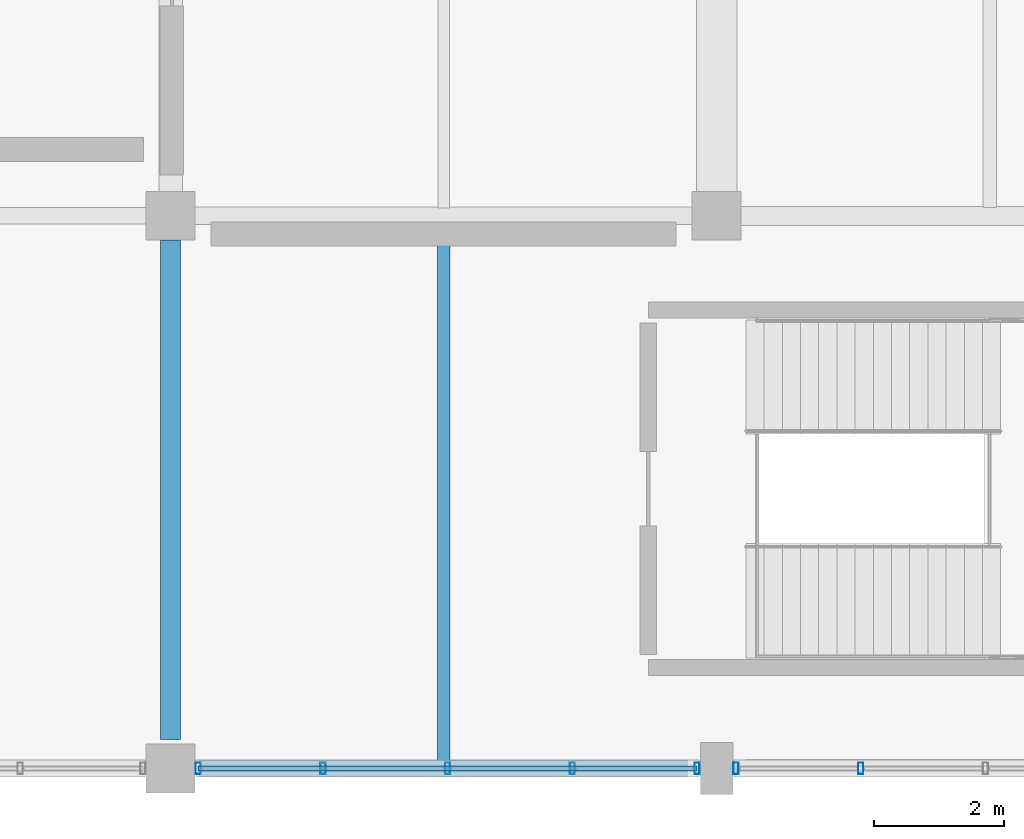
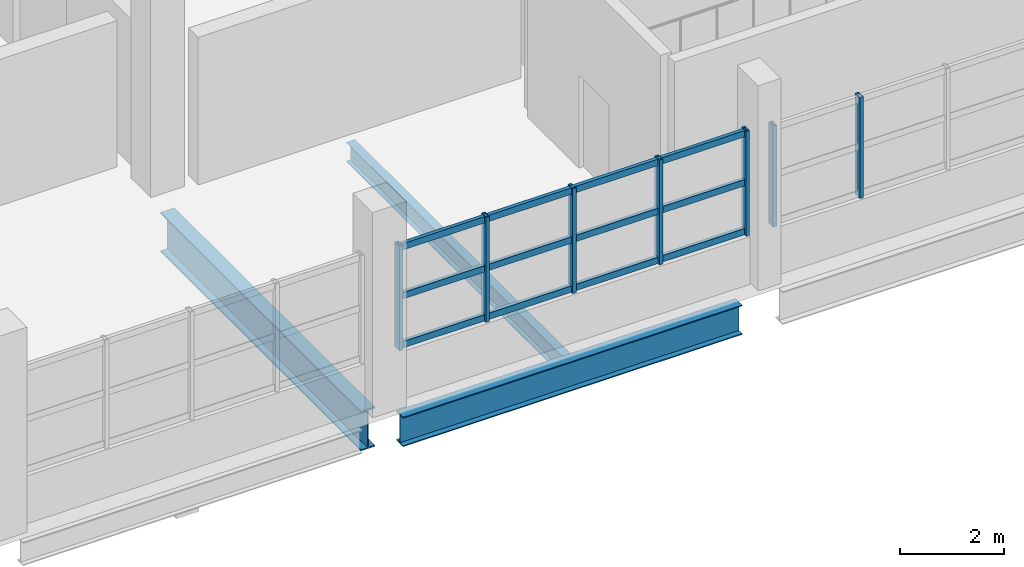
# One storey, part 64 of 117: 10 members, 3 beams, 2 elements without a shape of their own.
"""IFC4 building model written with IfcOpenShell, lengths in metres."""

from ifc_helpers import new_model, si_unit, direction, frame, origin, origin_2d, place, context, subcontext, project, spatial, hollow_rectangle, i_section, extrude, material, material_profile, profile_set, type_object, element, aggregate, save


model = new_model("IFC4")

# Units and contexts
model_context = context("Model", 3, precision=1e-05, world=origin(), true_north=direction((0.0, 1.0)))
body_context = subcontext(model_context, "Body", "Model", "MODEL_VIEW")
ifc_project = project(units=[si_unit("LENGTHUNIT", "METRE"), si_unit("AREAUNIT", "SQUARE_METRE"), si_unit("VOLUMEUNIT", "CUBIC_METRE"), si_unit("PLANEANGLEUNIT", "RADIAN"), si_unit("MASSUNIT", "GRAM", prefix="KILO")], contexts=[model_context])

# Site, building, storey
site_placement = place(None, origin())
site = spatial("IfcSite", under=ifc_project, at=site_placement, CompositionType="ELEMENT")
building_placement = place(site_placement, origin())
building = spatial("IfcBuilding", under=site, at=building_placement, Name="Solvento Point Concert Hall", CompositionType="ELEMENT")
storey_placement = place(building_placement, frame((0.0, 0.0, 5.39990234375)))
storey = spatial("IfcBuildingStorey", under=building, at=storey_placement, Name="L01", CompositionType="ELEMENT", Elevation=5.39990234375)

# Beams
ifc_material_1 = material(Name="Structural Steel ASTM A992 Grade 50", Category="steel")
ifc_material_profile_1 = material_profile(ifc_material_1, i_section(OverallWidth=0.256103515625, OverallDepth=0.693115234375, WebThickness=0.014404296875, FlangeThickness=0.023681640625, at=origin_2d()), Name="W27X114")
ifc_profile_set_1 = profile_set([ifc_material_profile_1], Name="Structural Steel ASTM A992 Grade 50")
beam_type_1 = type_object("IfcBeamType", Name="Girder_W27X114", PredefinedType="USERDEFINED", material=ifc_profile_set_1)
beam_1_placement = place(storey_placement, frame((192.444091796875, 0.0, -0.7705078125), z_axis=(1.0, 0.0, 0.0), x_axis=(0.0, 1.0, 0.0)))
element("IfcBeam", 1, at=beam_1_placement, inside=storey, type_object=beam_type_1, Name="Primary girder B-23 L01", ObjectType="GIRDER", PredefinedType="USERDEFINED", context=body_context, shape_type="SweptSolid", body=[
    extrude(i_section(OverallWidth=0.256103515625, OverallDepth=0.693115234375, WebThickness=0.014404296875, FlangeThickness=0.023681640625, at=origin_2d()), origin(), (0.0, 0.0, 1.0), 7.511962890625),
])
ifc_material_2 = material(Name="Structural Steel ASTM A992 Grade 50", Category="steel")
ifc_material_profile_2 = material_profile(ifc_material_2, i_section(OverallWidth=0.3076171875, OverallDepth=0.927001953125, WebThickness=0.019287109375, FlangeThickness=0.031982421875, at=origin_2d()), Name="W36X194")
ifc_profile_set_2 = profile_set([ifc_material_profile_2], Name="Structural Steel ASTM A992 Grade 50")
beam_type_2 = type_object("IfcBeamType", Name="Girder_W36X194", PredefinedType="USERDEFINED", material=ifc_profile_set_2)
beam_2_placement = place(storey_placement, frame((192.0, 0.444091796875, -0.887451171875), z_axis=(0.0, 1.0, 0.0), x_axis=(-1.0, 0.0, 0.0)))
element("IfcBeam", 2, at=beam_2_placement, inside=storey, type_object=beam_type_2, Name="Primary girder B-61 L01", ObjectType="GIRDER", PredefinedType="USERDEFINED", context=body_context, shape_type="SweptSolid", body=[
    extrude(i_section(OverallWidth=0.3076171875, OverallDepth=0.927001953125, WebThickness=0.019287109375, FlangeThickness=0.031982421875, at=origin_2d()), origin(), (0.0, 0.0, 1.0), 7.68701171875),
])
ifc_material_3 = material(Name="Structural Steel ASTM A992 Grade 50", Category="steel")
ifc_material_profile_3 = material_profile(ifc_material_3, i_section(OverallWidth=0.1904296875, OverallDepth=0.45703125, WebThickness=0.009033203125, FlangeThickness=0.014404296875, at=origin_2d()), Name="W18X50")
ifc_profile_set_3 = profile_set([ifc_material_profile_3], Name="Structural Steel ASTM A992 Grade 50")
beam_type_3 = type_object("IfcBeamType", Name="Joist_W18X50", PredefinedType="JOIST", material=ifc_profile_set_3)
beam_3_placement = place(storey_placement, frame((196.199951171875, 0.113037109375, -0.65234375), z_axis=(0.0, 1.0, 0.0), x_axis=(-1.0, 0.0, 0.0)))
element("IfcBeam", 3, at=beam_3_placement, inside=storey, type_object=beam_type_3, Name="Secondary floor joist B-66 L01", PredefinedType="JOIST", context=body_context, shape_type="SweptSolid", body=[
    extrude(i_section(OverallWidth=0.1904296875, OverallDepth=0.45703125, WebThickness=0.009033203125, FlangeThickness=0.014404296875, at=origin_2d()), origin(), (0.0, 0.0, 1.0), 8.26806640625),
])

# Curtain wall, members
ifc_material_4 = material(Name="Anodized Bronze Aluminium", Category="aluminium")
curtain_wall_type = type_object("IfcCurtainWallType", Name="CurtainWall_ChamberCircle", PredefinedType="USERDEFINED", material=ifc_material_4)
curtain_wall_1_placement = place(storey_placement, origin())
curtain_wall_1 = element("IfcCurtainWall", 4, at=curtain_wall_1_placement, inside=storey, type_object=curtain_wall_type, Name="Unitised curtain wall CW-32 UCW-L01-091", ObjectType="UNITISED CURTAIN WALL", PredefinedType="USERDEFINED")
ifc_material_5 = material(Name="Anodized Bronze Aluminium", Category="aluminium")
ifc_material_profile_4 = material_profile(ifc_material_5, hollow_rectangle(XDim=0.080078125, YDim=0.179931640625, WallThickness=0.00390625, at=origin_2d()), Name="CW-MUL-80X180")
ifc_profile_set_4 = profile_set([ifc_material_profile_4], Name="Anodized Bronze Aluminium")
member_type_1 = type_object("IfcMemberType", Name="Mullion_80x180", PredefinedType="MULLION", material=ifc_profile_set_4)
member_1_placement = place(storey_placement, frame((192.425048828125, 0.0, 1.1201171875), z_axis=(0.0, 0.0, 1.0), x_axis=(1.0, 0.0, 0.0)))
member_1 = element("IfcMember", 5, at=member_1_placement, type_object=member_type_1, Name="Curtain wall mullion ML-01", PredefinedType="MULLION", context=body_context, shape_type="SweptSolid", body=[
    extrude(hollow_rectangle(XDim=0.080078125, YDim=0.179931640625, WallThickness=0.00390625, at=origin_2d()), origin(), (0.0, 0.0, 1.0), 2.4541015625),
])
member_2_placement = place(storey_placement, frame((194.34375, 0.0, 1.1201171875), z_axis=(0.0, 0.0, 1.0), x_axis=(1.0, 0.0, 0.0)))
member_2 = element("IfcMember", 6, at=member_2_placement, type_object=member_type_1, Name="Curtain wall mullion ML-01", PredefinedType="MULLION", context=body_context, shape_type="SweptSolid", body=[
    extrude(hollow_rectangle(XDim=0.080078125, YDim=0.179931640625, WallThickness=0.00390625, at=origin_2d()), origin(), (0.0, 0.0, 1.0), 2.4541015625),
])
member_3_placement = place(storey_placement, frame((196.262451171875, 0.0, 1.1201171875), z_axis=(0.0, 0.0, 1.0), x_axis=(1.0, 0.0, 0.0)))
member_3 = element("IfcMember", 7, at=member_3_placement, type_object=member_type_1, Name="Curtain wall mullion ML-01", PredefinedType="MULLION", context=body_context, shape_type="SweptSolid", body=[
    extrude(hollow_rectangle(XDim=0.080078125, YDim=0.179931640625, WallThickness=0.00390625, at=origin_2d()), origin(), (0.0, 0.0, 1.0), 2.4541015625),
])
member_4_placement = place(storey_placement, frame((198.181396484375, 0.0, 1.1201171875), z_axis=(0.0, 0.0, 1.0), x_axis=(1.0, 0.0, 0.0)))
member_4 = element("IfcMember", 8, at=member_4_placement, type_object=member_type_1, Name="Curtain wall mullion ML-01", PredefinedType="MULLION", context=body_context, shape_type="SweptSolid", body=[
    extrude(hollow_rectangle(XDim=0.080078125, YDim=0.179931640625, WallThickness=0.00390625, at=origin_2d()), origin(), (0.0, 0.0, 1.0), 2.4541015625),
])
member_5_placement = place(storey_placement, frame((200.10009765625, 0.0, 1.1201171875), z_axis=(0.0, 0.0, 1.0), x_axis=(1.0, 0.0, 0.0)))
member_5 = element("IfcMember", 9, at=member_5_placement, type_object=member_type_1, Name="Curtain wall mullion ML-01", PredefinedType="MULLION", context=body_context, shape_type="SweptSolid", body=[
    extrude(hollow_rectangle(XDim=0.080078125, YDim=0.179931640625, WallThickness=0.00390625, at=origin_2d()), origin(), (0.0, 0.0, 1.0), 2.4541015625),
])

curtain_wall_2_placement = place(storey_placement, origin())
curtain_wall_2 = element("IfcCurtainWall", 10, at=curtain_wall_2_placement, inside=storey, type_object=curtain_wall_type, Name="Unitised curtain wall CW-32 UCW-L01-092", ObjectType="UNITISED CURTAIN WALL", PredefinedType="USERDEFINED")
member_6_placement = place(storey_placement, frame((200.699951171875, 0.0, 1.1201171875), z_axis=(0.0, 0.0, 1.0), x_axis=(1.0, 0.0, 0.0)))
member_6 = element("IfcMember", 11, at=member_6_placement, type_object=member_type_1, Name="Curtain wall mullion ML-01", PredefinedType="MULLION", context=body_context, shape_type="SweptSolid", body=[
    extrude(hollow_rectangle(XDim=0.080078125, YDim=0.179931640625, WallThickness=0.00390625, at=origin_2d()), origin(), (0.0, 0.0, 1.0), 2.364990234375),
])
member_7_placement = place(storey_placement, frame((202.61865234375, 0.0, 1.1201171875), z_axis=(0.0, 0.0, 1.0), x_axis=(1.0, 0.0, 0.0)))
member_7 = element("IfcMember", 12, at=member_7_placement, type_object=member_type_1, Name="Curtain wall mullion ML-01", PredefinedType="MULLION", context=body_context, shape_type="SweptSolid", body=[
    extrude(hollow_rectangle(XDim=0.080078125, YDim=0.179931640625, WallThickness=0.00390625, at=origin_2d()), origin(), (0.0, 0.0, 1.0), 2.364990234375),
])
aggregate(curtain_wall_2, [member_6, member_7])

# Member
ifc_material_6 = material(Name="Anodized Bronze Aluminium", Category="aluminium")
ifc_material_profile_5 = material_profile(ifc_material_6, hollow_rectangle(XDim=0.080078125, YDim=0.14990234375, WallThickness=0.00390625, at=origin_2d()), Name="CW-TRN-80X150")
ifc_profile_set_5 = profile_set([ifc_material_profile_5], Name="Anodized Bronze Aluminium")
member_type_2 = type_object("IfcMemberType", Name="Transom_80x150", PredefinedType="USERDEFINED", material=ifc_profile_set_5)
member_8_placement = place(storey_placement, frame((192.425048828125, 0.0, 1.2001953125), z_axis=(1.0, 0.0, 0.0), x_axis=(0.0, 1.0, 0.0)))
member_8 = element("IfcMember", 13, at=member_8_placement, type_object=member_type_2, Name="Curtain wall transom TR-01", ObjectType="TRANSOM", PredefinedType="USERDEFINED", context=body_context, shape_type="SweptSolid", body=[
    extrude(hollow_rectangle(XDim=0.080078125, YDim=0.14990234375, WallThickness=0.00390625, at=origin_2d()), origin(), (0.0, 0.0, 1.0), 7.675048828125),
])

member_9_placement = place(storey_placement, frame((192.425048828125, 0.0, 2.34716796875), z_axis=(1.0, 0.0, 0.0), x_axis=(0.0, 1.0, 0.0)))
member_9 = element("IfcMember", 14, at=member_9_placement, type_object=member_type_2, Name="Curtain wall transom TR-01", ObjectType="TRANSOM", PredefinedType="USERDEFINED", context=body_context, shape_type="SweptSolid", body=[
    extrude(hollow_rectangle(XDim=0.080078125, YDim=0.14990234375, WallThickness=0.00390625, at=origin_2d()), origin(), (0.0, 0.0, 1.0), 7.675048828125),
])

member_10_placement = place(storey_placement, frame((192.425048828125, 0.0, 3.494140625), z_axis=(1.0, 0.0, 0.0), x_axis=(0.0, 1.0, 0.0)))
member_10 = element("IfcMember", 15, at=member_10_placement, type_object=member_type_2, Name="Curtain wall transom TR-01", ObjectType="TRANSOM", PredefinedType="USERDEFINED", context=body_context, shape_type="SweptSolid", body=[
    extrude(hollow_rectangle(XDim=0.080078125, YDim=0.14990234375, WallThickness=0.00390625, at=origin_2d()), origin(), (0.0, 0.0, 1.0), 7.675048828125),
])

aggregate(curtain_wall_1, [member_1, member_2, member_3, member_4, member_5, member_8, member_9, member_10])

save(model, "model.ifc")
